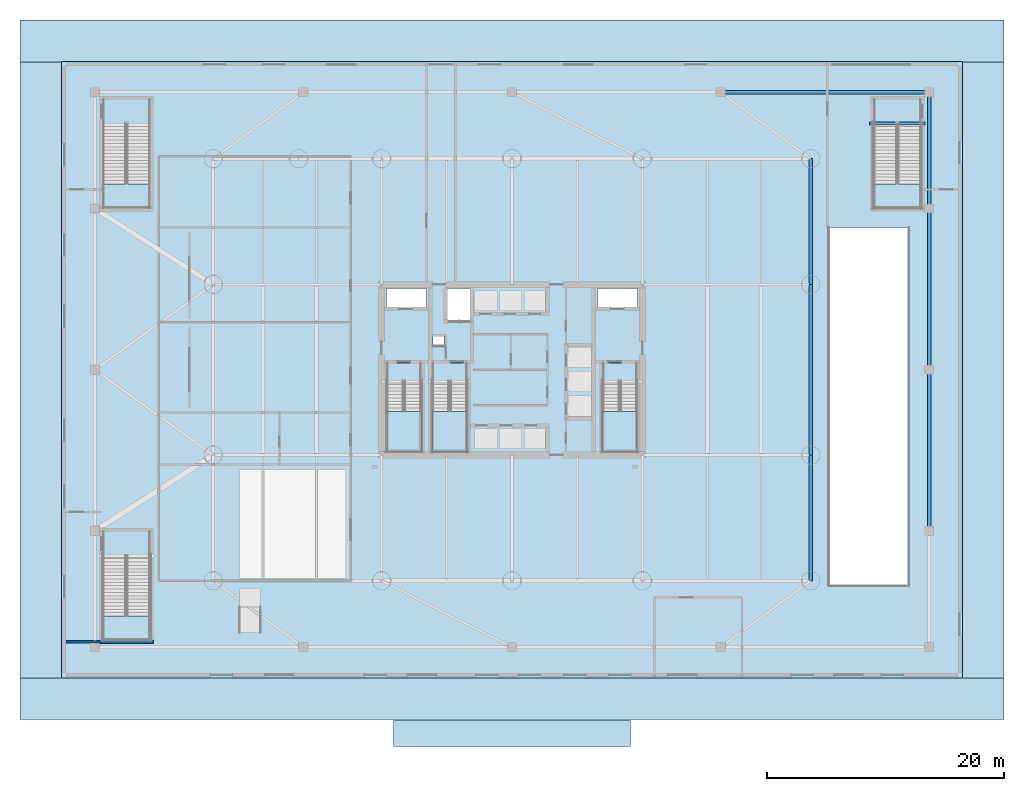
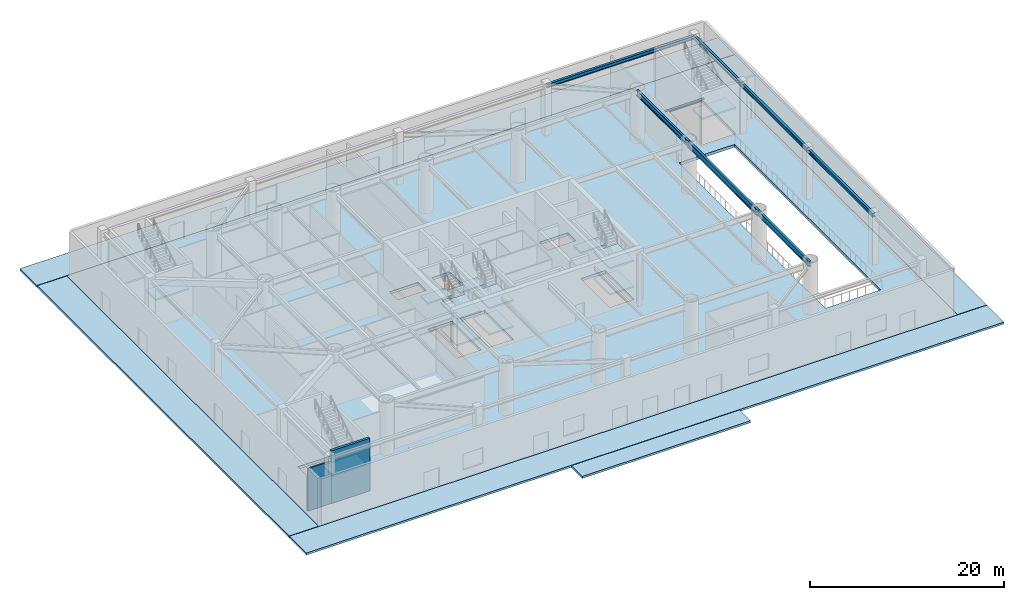
# One storey, part 2 of 15: 18 slabs, 8 beams, 2 walls, 6 elements without a shape of their own.
"""IFC4 building model written with IfcOpenShell, lengths in metres."""

from ifc_helpers import new_model, si_unit, direction, frame, frame_2d, origin, origin_2d, place, context, subcontext, project, spatial, polyline, rectangle, i_section, outline, extrude, material, layer, layer_set, material_profile, profile_set, type_object, element, aggregate, save


model = new_model("IFC4")

# Units and contexts
model_context = context("Model", 3, precision=1e-05, world=origin(), true_north=direction((0.0, 1.0)))
body_context = subcontext(model_context, "Body", "Model", "MODEL_VIEW")
ifc_project = project(units=[si_unit("LENGTHUNIT", "METRE"), si_unit("AREAUNIT", "SQUARE_METRE"), si_unit("VOLUMEUNIT", "CUBIC_METRE"), si_unit("PLANEANGLEUNIT", "RADIAN"), si_unit("MASSUNIT", "GRAM", prefix="KILO")], contexts=[model_context])

# Site, building, storey
site_placement = place(None, origin())
site = spatial("IfcSite", under=ifc_project, at=site_placement, CompositionType="ELEMENT")
building_placement = place(site_placement, origin())
building = spatial("IfcBuilding", under=site, at=building_placement, Name="Bramvorn Convention Spire", CompositionType="ELEMENT")
storey_placement = place(building_placement, origin())
storey = spatial("IfcBuildingStorey", under=building, at=storey_placement, Name="L00", CompositionType="ELEMENT", Elevation=0.0)

# Beams
ifc_material_1 = material(Name="Steel CSA G40.21 Grade 350 (350W)", Category="steel")
ifc_material_profile_1 = material_profile(ifc_material_1, i_section(OverallWidth=0.25390625, OverallDepth=0.2529296875, WebThickness=0.008544921875, FlangeThickness=0.01416015625, FilletRadius=0.011962890625, at=origin_2d()))
ifc_profile_set_1 = profile_set([ifc_material_profile_1], Name="Steel CSA G40.21 Grade 350 (350W) - W250X73")
beam_type_1 = type_object("IfcBeamType", Name="BM-W250X73", PredefinedType="BEAM", material=ifc_profile_set_1)
beam_1_placement = place(storey_placement, frame((68.169921875, 46.760009765625, -0.12646484375), z_axis=(1.0, 0.0, 0.0), x_axis=(0.0, 1.0, 0.0)))
element("IfcBeam", 1, at=beam_1_placement, inside=storey, type_object=beam_type_1, Name="L00 ST5 stair arrival header beam", PredefinedType="BEAM", context=body_context, shape_type="SweptSolid", body=[
    extrude(i_section(OverallWidth=0.25390625, OverallDepth=0.2529296875, WebThickness=0.008544921875, FlangeThickness=0.01416015625, FilletRadius=0.011962890625, at=origin_2d()), origin(), (0.0, 0.0, 1.0), 4.68017578125),
])
ifc_material_profile_2 = material_profile(ifc_material_1, i_section(OverallWidth=0.283935546875, OverallDepth=0.47607421875, WebThickness=0.014892578125, FlangeThickness=0.02392578125, FilletRadius=0.01806640625, at=origin_2d()))
ifc_profile_set_2 = profile_set([ifc_material_profile_2], Name="Steel CSA G40.21 Grade 350 (350W) - W460X158")
beam_type_2 = type_object("IfcBeamType", Name="BM-W460X158", PredefinedType="SPANDREL", material=ifc_profile_set_2)
for number, where, z_axis, x_axis, name in (
    (2, (73.199951171875, 12.39990234375, 6.011962890625), (0.0, 1.0, 0.0), (-1.0, 0.0, 0.0), "L00 podium spandrel beam 06"),
    (3, (73.199951171875, 26.0, 6.011962890625), (0.0, 1.0, 0.0), (-1.0, 0.0, 0.0), "L00 podium spandrel beam 07"),
):
    element("IfcBeam", number, at=place(storey_placement, frame(where, z_axis=z_axis, x_axis=x_axis)), inside=storey, type_object=beam_type_2, Name=name, PredefinedType="SPANDREL", context=body_context, shape_type="SweptSolid", body=[
        extrude(i_section(OverallWidth=0.283935546875, OverallDepth=0.47607421875, WebThickness=0.014892578125, FlangeThickness=0.02392578125, FilletRadius=0.01806640625, at=origin_2d()), origin(), (0.0, 0.0, 1.0), 13.60009765625),
    ])
beam_2_placement = place(storey_placement, frame((73.199951171875, 39.60009765625, 6.011962890625), z_axis=(0.0, 1.0, 0.0), x_axis=(-1.0, 0.0, 0.0)))
element("IfcBeam", 4, at=beam_2_placement, inside=storey, type_object=beam_type_2, Name="L00 podium spandrel beam 08", PredefinedType="SPANDREL", context=body_context, shape_type="SweptSolid", body=[
    extrude(i_section(OverallWidth=0.283935546875, OverallDepth=0.47607421875, WebThickness=0.014892578125, FlangeThickness=0.02392578125, FilletRadius=0.01806640625, at=origin_2d()), origin(), (0.0, 0.0, 1.0), 9.7998046875),
])
beam_3_placement = place(storey_placement, frame((73.199951171875, 49.39990234375, 6.011962890625), z_axis=(-1.0, 0.0, 0.0), x_axis=(0.0, -1.0, 0.0)))
element("IfcBeam", 5, at=beam_3_placement, inside=storey, type_object=beam_type_2, Name="L00 podium spandrel beam 09", PredefinedType="SPANDREL", context=body_context, shape_type="SweptSolid", body=[
    extrude(i_section(OverallWidth=0.283935546875, OverallDepth=0.47607421875, WebThickness=0.014892578125, FlangeThickness=0.02392578125, FilletRadius=0.01806640625, at=origin_2d()), origin(), (0.0, 0.0, 1.0), 17.599853515625),
])
ifc_material_profile_3 = material_profile(ifc_material_1, i_section(OverallWidth=0.256103515625, OverallDepth=0.693115234375, WebThickness=0.014404296875, FlangeThickness=0.023681640625, FilletRadius=0.02197265625, at=origin_2d()))
ifc_profile_set_3 = profile_set([ifc_material_profile_3], Name="Steel CSA G40.21 Grade 350 (350W) - W690X170")
beam_type_3 = type_object("IfcBeamType", Name="BM-W690X170", PredefinedType="BEAM", material=ifc_profile_set_3)
for number, where, z_axis, x_axis, name in (
    (6, (63.199951171875, 8.199951171875, 5.903564453125), (0.0, 1.0, 0.0), (-1.0, 0.0, 0.0), "L00 podium primary girder 15"),
    (7, (63.199951171875, 33.199951171875, 5.903564453125), (0.0, 1.0, 0.0), (-1.0, 0.0, 0.0), "L00 podium primary girder 17"),
):
    element("IfcBeam", number, at=place(storey_placement, frame(where, z_axis=z_axis, x_axis=x_axis)), inside=storey, type_object=beam_type_3, Name=name, PredefinedType="BEAM", context=body_context, shape_type="SweptSolid", body=[
        extrude(i_section(OverallWidth=0.256103515625, OverallDepth=0.693115234375, WebThickness=0.014404296875, FlangeThickness=0.023681640625, FilletRadius=0.02197265625, at=origin_2d()), origin(), (0.0, 0.0, 1.0), 10.60009765625),
    ])
ifc_material_profile_4 = material_profile(ifc_material_1, i_section(OverallWidth=0.27099609375, OverallDepth=0.76806640625, WebThickness=0.0166015625, FlangeThickness=0.02685546875, FilletRadius=0.02197265625, at=origin_2d()))
ifc_profile_set_4 = profile_set([ifc_material_profile_4], Name="Steel CSA G40.21 Grade 350 (350W) - W760X220")
beam_type_4 = type_object("IfcBeamType", Name="BM-W760X220", PredefinedType="BEAM", material=ifc_profile_set_4)
beam_4_placement = place(storey_placement, frame((63.199951171875, 18.800048828125, 5.865966796875), z_axis=(0.0, 1.0, 0.0), x_axis=(-1.0, 0.0, 0.0)))
element("IfcBeam", 8, at=beam_4_placement, inside=storey, type_object=beam_type_4, Name="L00 podium primary girder 16", PredefinedType="BEAM", context=body_context, shape_type="SweptSolid", body=[
    extrude(i_section(OverallWidth=0.27099609375, OverallDepth=0.76806640625, WebThickness=0.0166015625, FlangeThickness=0.02685546875, FilletRadius=0.02197265625, at=origin_2d()), origin(), (0.0, 0.0, 1.0), 14.39990234375),
])

# Slabs
ifc_material_2 = material(Name="Concrete C40/50 Exterior Grade Apron", Category="concrete")
ifc_layer_1 = layer(ifc_material_2, 0.25)
ifc_layer_set_1 = layer_set([ifc_layer_1], Name="Concrete C40/50 Exterior Grade Apron - SLB-APRON-250")
slab_type_1 = type_object("IfcSlabType", Name="SLB-APRON-250", PredefinedType="BASESLAB", material=ifc_layer_set_1)
slab_1_placement = place(storey_placement, frame((0.0, 0.0, -0.25)))
element("IfcSlab", 9, at=slab_1_placement, inside=storey, type_object=slab_type_1, Name="L00 street-level granite entrance apron 1", PredefinedType="BASESLAB", context=body_context, shape_type="SweptSolid", body=[
    extrude(outline(polyline([(-3.5, -3.5), (79.5, -3.5), (79.5, 0.0), (-3.5, 0.0), (-3.5, -3.5)])), origin(), (0.0, 0.0, 1.0), 0.25),
])
slab_2_placement = place(storey_placement, frame((0.0, 0.0, -0.25)))
element("IfcSlab", 10, at=slab_2_placement, inside=storey, type_object=slab_type_1, Name="L00 street-level granite entrance apron 2", PredefinedType="BASESLAB", context=body_context, shape_type="SweptSolid", body=[
    extrude(outline(polyline([(-3.5, 52.0), (79.5, 52.0), (79.5, 55.5), (-3.5, 55.5), (-3.5, 52.0)])), origin(), (0.0, 0.0, 1.0), 0.25),
])
slab_3_placement = place(storey_placement, frame((0.0, 0.0, -0.25)))
element("IfcSlab", 11, at=slab_3_placement, inside=storey, type_object=slab_type_1, Name="L00 street-level granite entrance apron 3", PredefinedType="BASESLAB", context=body_context, shape_type="SweptSolid", body=[
    extrude(outline(polyline([(-3.5, 0.050048828125), (0.0, 0.050048828125), (0.0, 51.949951171875), (-3.5, 51.949951171875), (-3.5, 0.050048828125)])), origin(), (0.0, 0.0, 1.0), 0.25),
])
slab_4_placement = place(storey_placement, frame((0.0, 0.0, -0.25)))
element("IfcSlab", 12, at=slab_4_placement, inside=storey, type_object=slab_type_1, Name="L00 street-level granite entrance apron 4", PredefinedType="BASESLAB", context=body_context, shape_type="SweptSolid", body=[
    extrude(outline(polyline([(76.0, 0.050048828125), (79.5, 0.050048828125), (79.5, 51.949951171875), (76.0, 51.949951171875), (76.0, 0.050048828125)])), origin(), (0.0, 0.0, 1.0), 0.25),
])
slab_5_placement = place(storey_placement, frame((0.0, 0.0, -0.25)))
element("IfcSlab", 13, at=slab_5_placement, inside=storey, type_object=slab_type_1, Name="L00 street-level granite entrance apron 5", PredefinedType="BASESLAB", context=body_context, shape_type="SweptSolid", body=[
    extrude(outline(polyline([(28.0, -5.800048828125), (48.0, -5.800048828125), (48.0, -3.550048828125), (28.0, -3.550048828125), (28.0, -5.800048828125)])), origin(), (0.0, 0.0, 1.0), 0.25),
])
ifc_material_3 = material(Name="Concrete C50/60", Category="concrete")
ifc_layer_2 = layer(ifc_material_3, 0.35009765625)
ifc_layer_set_2 = layer_set([ifc_layer_2], Name="Concrete C50/60 - SLB-POD-350")
slab_type_2 = type_object("IfcSlabType", Name="SLB-POD-350", PredefinedType="FLOOR", material=ifc_layer_set_2)
slab_6_placement = place(storey_placement, frame((0.0, 0.0, -0.35009765625)))
element("IfcSlab", 14, at=slab_6_placement, inside=storey, type_object=slab_type_2, Name="L00 podium composite floor slab", PredefinedType="FLOOR", context=body_context, shape_type="SweptSolid", body=[
    extrude(outline(polyline([(0.0, 0.0), (76.0, 0.0), (76.0, 52.0), (0.0, 52.0), (0.0, 0.0)]), holes=[polyline([(27.449951171875, 25.050048828125), (27.449951171875, 19.10009765625), (30.35009765625, 19.10009765625), (30.35009765625, 25.050048828125), (27.449951171875, 25.050048828125)]), polyline([(45.64990234375, 25.050048828125), (45.64990234375, 19.10009765625), (48.550048828125, 19.10009765625), (48.550048828125, 25.050048828125), (45.64990234375, 25.050048828125)]), polyline([(31.300048828125, 25.050048828125), (31.300048828125, 19.10009765625), (34.199951171875, 19.10009765625), (34.199951171875, 25.050048828125), (31.300048828125, 25.050048828125)]), polyline([(3.5, 10.35009765625), (3.5, 3.199951171875), (7.47998046875, 3.199951171875), (7.47998046875, 10.35009765625), (3.5, 10.35009765625)]), polyline([(68.52001953125, 46.800048828125), (68.52001953125, 39.64990234375), (72.5, 39.64990234375), (72.5, 46.800048828125), (68.52001953125, 46.800048828125)]), polyline([(27.39990234375, 31.219970703125), (30.800048828125, 31.219970703125), (30.800048828125, 32.85009765625), (27.39990234375, 32.85009765625), (27.39990234375, 31.219970703125)]), polyline([(45.199951171875, 31.219970703125), (48.60009765625, 31.219970703125), (48.60009765625, 32.85009765625), (45.199951171875, 32.85009765625), (45.199951171875, 31.219970703125)]), polyline([(32.449951171875, 30.14990234375), (34.56005859375, 30.14990234375), (34.56005859375, 32.85009765625), (32.449951171875, 32.85009765625), (32.449951171875, 30.14990234375)]), polyline([(31.320068359375, 28.02001953125), (32.280029296875, 28.02001953125), (32.280029296875, 28.820068359375), (31.320068359375, 28.820068359375), (31.320068359375, 28.02001953125)]), polyline([(64.800048828125, 7.85009765625), (71.39990234375, 7.85009765625), (71.39990234375, 38.0), (64.800048828125, 38.0), (64.800048828125, 7.85009765625)])]), origin(), (0.0, 0.0, 1.0), 0.35009765625),
])

# Stair, slabs
ifc_material_4 = material(Name="Concrete C40/50 Precast Stair", Category="concrete")
stair_type_1 = type_object("IfcStairType", Name="ST-TOWER-1550", PredefinedType="HALF_TURN_STAIR", material=ifc_material_4)
stair_1_placement = place(storey_placement, origin())
stair_1 = element("IfcStair", 15, at=stair_1_placement, inside=storey, type_object=stair_type_1, Name="L00 Protected Exit Stair ST1", PredefinedType="HALF_TURN_STAIR")
ifc_material_5 = material(Name="Concrete C40/50 Stair Landing", Category="concrete")
ifc_layer_3 = layer(ifc_material_5, 0.219970703125)
ifc_layer_set_3 = layer_set([ifc_layer_3], Name="Concrete C40/50 Stair Landing - SLB-STAIR-LANDING")
slab_type_3 = type_object("IfcSlabType", Name="SLB-STAIR-LANDING", PredefinedType="LANDING", material=ifc_layer_set_3)
slab_7_placement = place(storey_placement, frame((0.0, 0.0, 1.449951171875)))
slab_7 = element("IfcSlab", 16, at=slab_7_placement, type_object=slab_type_3, Name="ST1 landing 1", PredefinedType="LANDING", context=body_context, shape_type="SweptSolid", body=[
    extrude(outline(polyline([(27.449951171875, 22.485107421875), (27.449951171875, 19.10009765625), (30.35009765625, 19.10009765625), (30.35009765625, 22.485107421875), (27.449951171875, 22.485107421875)])), origin(), (0.0, 0.0, 1.0), 0.199951171875),
])
slab_8_placement = place(storey_placement, frame((0.0, 0.0, 3.10009765625)))
slab_8 = element("IfcSlab", 17, at=slab_8_placement, type_object=slab_type_3, Name="ST1 landing 2", PredefinedType="LANDING", context=body_context, shape_type="SweptSolid", body=[
    extrude(outline(polyline([(27.449951171875, 26.550048828125), (27.449951171875, 25.050048828125), (30.35009765625, 25.050048828125), (30.35009765625, 26.550048828125), (27.449951171875, 26.550048828125)])), origin(), (0.0, 0.0, 1.0), 0.199951171875),
])
slab_9_placement = place(storey_placement, frame((0.0, 0.0, 4.75)))
slab_9 = element("IfcSlab", 18, at=slab_9_placement, type_object=slab_type_3, Name="ST1 landing 3", PredefinedType="LANDING", context=body_context, shape_type="SweptSolid", body=[
    extrude(outline(polyline([(27.449951171875, 22.485107421875), (27.449951171875, 19.10009765625), (30.35009765625, 19.10009765625), (30.35009765625, 22.485107421875), (27.449951171875, 22.485107421875)])), origin(), (0.0, 0.0, 1.0), 0.199951171875),
])
aggregate(stair_1, [slab_7, slab_8, slab_9])

stair_2_placement = place(storey_placement, origin())
stair_2 = element("IfcStair", 19, at=stair_2_placement, inside=storey, type_object=stair_type_1, Name="L00 Protected Exit Stair ST2", PredefinedType="HALF_TURN_STAIR")
slab_10_placement = place(storey_placement, frame((0.0, 0.0, 1.449951171875)))
slab_10 = element("IfcSlab", 20, at=slab_10_placement, type_object=slab_type_3, Name="ST2 landing 1", PredefinedType="LANDING", context=body_context, shape_type="SweptSolid", body=[
    extrude(outline(polyline([(45.64990234375, 22.485107421875), (45.64990234375, 19.10009765625), (48.550048828125, 19.10009765625), (48.550048828125, 22.485107421875), (45.64990234375, 22.485107421875)])), origin(), (0.0, 0.0, 1.0), 0.199951171875),
])
slab_11_placement = place(storey_placement, frame((0.0, 0.0, 3.10009765625)))
slab_11 = element("IfcSlab", 21, at=slab_11_placement, type_object=slab_type_3, Name="ST2 landing 2", PredefinedType="LANDING", context=body_context, shape_type="SweptSolid", body=[
    extrude(outline(polyline([(45.64990234375, 26.550048828125), (45.64990234375, 25.050048828125), (48.550048828125, 25.050048828125), (48.550048828125, 26.550048828125), (45.64990234375, 26.550048828125)])), origin(), (0.0, 0.0, 1.0), 0.199951171875),
])
slab_12_placement = place(storey_placement, frame((0.0, 0.0, 4.75)))
slab_12 = element("IfcSlab", 22, at=slab_12_placement, type_object=slab_type_3, Name="ST2 landing 3", PredefinedType="LANDING", context=body_context, shape_type="SweptSolid", body=[
    extrude(outline(polyline([(45.64990234375, 22.485107421875), (45.64990234375, 19.10009765625), (48.550048828125, 19.10009765625), (48.550048828125, 22.485107421875), (45.64990234375, 22.485107421875)])), origin(), (0.0, 0.0, 1.0), 0.199951171875),
])
aggregate(stair_2, [slab_10, slab_11, slab_12])

stair_3_placement = place(storey_placement, origin())
stair_3 = element("IfcStair", 23, at=stair_3_placement, inside=storey, type_object=stair_type_1, Name="L00 Protected Exit Stair ST3", PredefinedType="HALF_TURN_STAIR")
slab_13_placement = place(storey_placement, frame((0.0, 0.0, 1.449951171875)))
slab_13 = element("IfcSlab", 24, at=slab_13_placement, type_object=slab_type_3, Name="ST3 landing 1", PredefinedType="LANDING", context=body_context, shape_type="SweptSolid", body=[
    extrude(outline(polyline([(31.300048828125, 22.485107421875), (31.300048828125, 19.10009765625), (34.199951171875, 19.10009765625), (34.199951171875, 22.485107421875), (31.300048828125, 22.485107421875)])), origin(), (0.0, 0.0, 1.0), 0.199951171875),
])
slab_14_placement = place(storey_placement, frame((0.0, 0.0, 3.10009765625)))
slab_14 = element("IfcSlab", 25, at=slab_14_placement, type_object=slab_type_3, Name="ST3 landing 2", PredefinedType="LANDING", context=body_context, shape_type="SweptSolid", body=[
    extrude(outline(polyline([(31.300048828125, 26.550048828125), (31.300048828125, 25.050048828125), (34.199951171875, 25.050048828125), (34.199951171875, 26.550048828125), (31.300048828125, 26.550048828125)])), origin(), (0.0, 0.0, 1.0), 0.199951171875),
])
slab_15_placement = place(storey_placement, frame((0.0, 0.0, 4.75)))
slab_15 = element("IfcSlab", 26, at=slab_15_placement, type_object=slab_type_3, Name="ST3 landing 3", PredefinedType="LANDING", context=body_context, shape_type="SweptSolid", body=[
    extrude(outline(polyline([(31.300048828125, 22.485107421875), (31.300048828125, 19.10009765625), (34.199951171875, 19.10009765625), (34.199951171875, 22.485107421875), (31.300048828125, 22.485107421875)])), origin(), (0.0, 0.0, 1.0), 0.199951171875),
])
aggregate(stair_3, [slab_13, slab_14, slab_15])

# Stair, slab
ifc_material_6 = material(Name="Concrete C40/50 Grand Exit Stair", Category="concrete")
stair_type_2 = type_object("IfcStairType", Name="ST-PODIUM-1950", PredefinedType="HALF_TURN_STAIR", material=ifc_material_6)
stair_4_placement = place(storey_placement, origin())
stair_4 = element("IfcStair", 27, at=stair_4_placement, inside=storey, type_object=stair_type_2, Name="L00 Protected Exit Stair ST4", PredefinedType="HALF_TURN_STAIR")
slab_16_placement = place(storey_placement, frame((0.0, 0.0, 3.10009765625)))
slab_16 = element("IfcSlab", 28, at=slab_16_placement, type_object=slab_type_3, Name="ST4 landing 1", PredefinedType="LANDING", context=body_context, shape_type="SweptSolid", body=[
    extrude(outline(polyline([(3.5, 5.219970703125), (3.5, 3.199951171875), (7.47998046875, 3.199951171875), (7.47998046875, 5.219970703125), (3.5, 5.219970703125)])), origin(), (0.0, 0.0, 1.0), 0.199951171875),
])
aggregate(stair_4, [slab_16])

stair_5_placement = place(storey_placement, origin())
stair_5 = element("IfcStair", 29, at=stair_5_placement, inside=storey, type_object=stair_type_2, Name="L00 Protected Exit Stair ST5", PredefinedType="HALF_TURN_STAIR")
slab_17_placement = place(storey_placement, frame((0.0, 0.0, 3.10009765625)))
slab_17 = element("IfcSlab", 30, at=slab_17_placement, type_object=slab_type_3, Name="ST5 landing 1", PredefinedType="LANDING", context=body_context, shape_type="SweptSolid", body=[
    extrude(outline(polyline([(68.52001953125, 41.669921875), (68.52001953125, 39.64990234375), (72.5, 39.64990234375), (72.5, 41.669921875), (68.52001953125, 41.669921875)])), origin(), (0.0, 0.0, 1.0), 0.199951171875),
])
aggregate(stair_5, [slab_17])

stair_6_placement = place(storey_placement, origin())
stair_6 = element("IfcStair", 31, at=stair_6_placement, inside=storey, type_object=stair_type_2, Name="L00 Protected Exit Stair ST6", PredefinedType="HALF_TURN_STAIR")
slab_18_placement = place(storey_placement, frame((0.0, 0.0, 3.10009765625)))
slab_18 = element("IfcSlab", 32, at=slab_18_placement, type_object=slab_type_3, Name="ST6 landing 1", PredefinedType="LANDING", context=body_context, shape_type="SweptSolid", body=[
    extrude(outline(polyline([(3.5, 41.669921875), (3.5, 39.64990234375), (7.47998046875, 39.64990234375), (7.47998046875, 41.669921875), (3.5, 41.669921875)])), origin(), (0.0, 0.0, 1.0), 0.199951171875),
])
aggregate(stair_6, [slab_18])

# Walls
ifc_material_7 = material(Name="Gypsum Shaftwall & Rockwool Core Partition", Category="gypsum")
ifc_layer_4 = layer(ifc_material_7, 0.199951171875)
ifc_layer_set_4 = layer_set([ifc_layer_4], Name="Gypsum Shaftwall & Rockwool Core Partition - WL-PART-200-FR")
wall_type_1 = type_object("IfcWallType", Name="WL-PART-200-FR", PredefinedType="PARTITIONING", material=ifc_layer_set_4)
wall_1_placement = place(storey_placement, frame((0.39990234375, 3.06005859375, 0.0), z_axis=(0.0, 0.0, 1.0), x_axis=(1.0, 0.0, 0.0)))
element("IfcWall", 33, at=wall_1_placement, inside=storey, type_object=wall_type_1, Name="L00 ST4 protected exit passage south wall", PredefinedType="PARTITIONING", context=body_context, shape_type="SweptSolid", body=[
    extrude(rectangle(XDim=2.960205078125, YDim=0.199951171875, at=frame_2d((1.47998046875, 0.0))), origin(), (0.0, 0.0, 1.0), 5.31005859375),
])
ifc_layer_5 = layer(ifc_material_3, 0.300048828125)
ifc_layer_set_5 = layer_set([ifc_layer_5], Name="Concrete C50/60 - WL-POD-STAIR-300")
wall_type_2 = type_object("IfcWallType", Name="WL-POD-STAIR-300", PredefinedType="SHEAR", material=ifc_layer_set_5)
wall_2_placement = place(storey_placement, frame((3.2099609375, 3.06005859375, 0.0), z_axis=(0.0, 0.0, 1.0), x_axis=(1.0, 0.0, 0.0)))
element("IfcWall", 34, at=wall_2_placement, inside=storey, type_object=wall_type_2, Name="L00 ST4 south shaft wall", PredefinedType="SHEAR", context=body_context, shape_type="SweptSolid", body=[
    extrude(rectangle(XDim=4.56005859375, YDim=0.300048828125, at=frame_2d((2.280029296875, 0.0))), origin(), (0.0, 0.0, 1.0), 6.60009765625),
])

save(model, "model.ifc")
